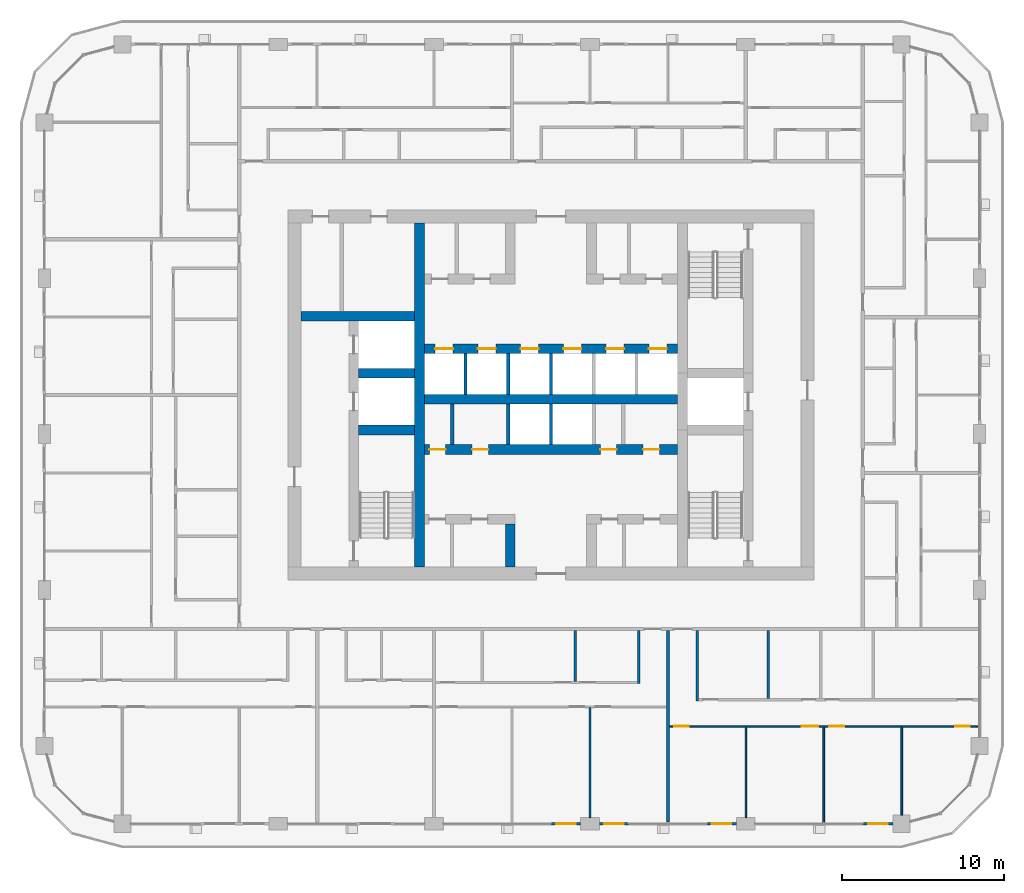
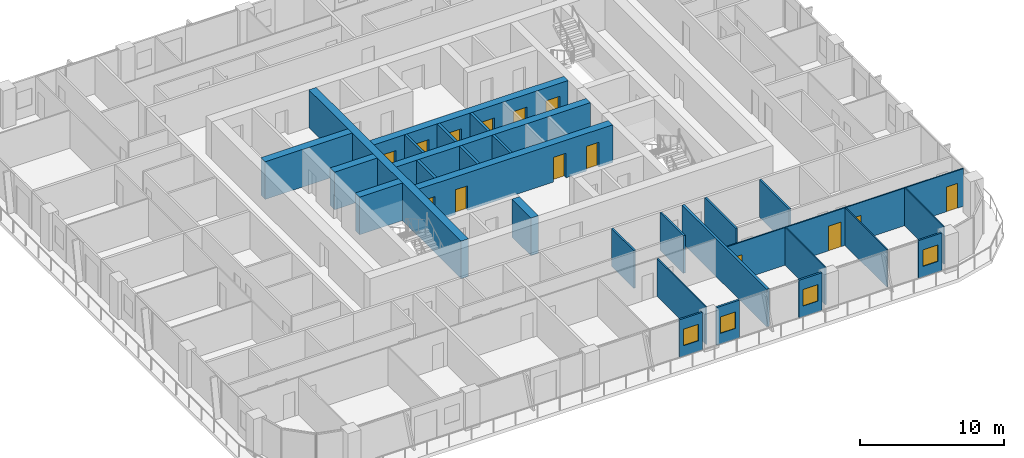
# One storey, part 11 of 22: 28 walls, 14 doors, 4 windows, 18 openings.
"""IFC4 building model written with IfcOpenShell, lengths in metres."""

from ifc_helpers import new_model, si_unit, direction, frame, frame_2d, origin, place, context, subcontext, project, spatial, rectangle, extrude, material, layer, layer_set, type_object, element, fill, save


model = new_model("IFC4")

# Units and contexts
model_context = context("Model", 3, precision=1e-05, world=origin(), true_north=direction((0.0, 1.0)))
body_context = subcontext(model_context, "Body", "Model", "MODEL_VIEW")
ifc_project = project(units=[si_unit("LENGTHUNIT", "METRE"), si_unit("AREAUNIT", "SQUARE_METRE"), si_unit("VOLUMEUNIT", "CUBIC_METRE"), si_unit("PLANEANGLEUNIT", "RADIAN"), si_unit("MASSUNIT", "GRAM", prefix="KILO")], contexts=[model_context])

# Site, building, storey
site_placement = place(None, origin())
site = spatial("IfcSite", under=ifc_project, at=site_placement, CompositionType="ELEMENT")
building_placement = place(site_placement, origin())
building = spatial("IfcBuilding", under=site, at=building_placement, Name="Madar Terraces", CompositionType="ELEMENT")
storey_placement = place(building_placement, frame((0.0, 0.0, 166.5)))
storey = spatial("IfcBuildingStorey", under=building, at=storey_placement, Name="L43", CompositionType="ELEMENT", Elevation=166.5)

# Walls
ifc_material_1 = material(Name="Concrete C70/85", Category="concrete")
ifc_layer_1 = layer(ifc_material_1, 0.60009765625)
ifc_layer_set_1 = layer_set([ifc_layer_1], Name="Concrete C70/85 (CIW3 RC wall 600)")
wall_type_1 = type_object("IfcWallType", Name="CIW3 RC wall 600", PredefinedType="SHEAR", material=ifc_layer_set_1)
wall_1_placement = place(storey_placement, frame((23.10009765625, 15.800048828125, 0.0), z_axis=(0.0, 0.0, 1.0), x_axis=(0.0, 1.0, 0.0)))
element("IfcWall", 1, at=wall_1_placement, inside=storey, type_object=wall_type_1, Name="CORE SHAFT WALL", PredefinedType="SHEAR", context=body_context, shape_type="SweptSolid", body=[
    extrude(rectangle(XDim=21.199951171875, YDim=0.60009765625, at=frame_2d((10.60009765625, 0.0))), origin(), (0.0, 0.0, 1.0), 3.199951171875),
])
for number, where, z_axis, x_axis, name in (
    (2, (19.35009765625, 24.25, 0.0), (0.0, 0.0, 1.0), (1.0, 0.0, 0.0), "CORE SHAFT WALL"),
    (3, (19.35009765625, 27.75, 0.0), (0.0, 0.0, 1.0), (1.0, 0.0, 0.0), "CORE SHAFT WALL"),
):
    element("IfcWall", number, at=place(storey_placement, frame(where, z_axis=z_axis, x_axis=x_axis)), inside=storey, type_object=wall_type_1, Name=name, PredefinedType="SHEAR", context=body_context, shape_type="SweptSolid", body=[
        extrude(rectangle(XDim=3.449951171875, YDim=0.60009765625, at=frame_2d((1.72509765625, 0.0))), origin(), (0.0, 0.0, 1.0), 3.199951171875),
    ])
wall_2_placement = place(storey_placement, frame((15.800048828125, 31.25, 0.0), z_axis=(0.0, 0.0, 1.0), x_axis=(1.0, 0.0, 0.0)))
element("IfcWall", 4, at=wall_2_placement, inside=storey, type_object=wall_type_1, Name="CORE SHAFT WALL", PredefinedType="SHEAR", context=body_context, shape_type="SweptSolid", body=[
    extrude(rectangle(XDim=7.0, YDim=0.60009765625, at=frame_2d((3.5, 0.0))), origin(), (0.0, 0.0, 1.0), 3.199951171875),
])

# Wall, openings, doors
wall_3_placement = place(storey_placement, frame((23.39990234375, 23.050048828125, 0.0), z_axis=(0.0, 0.0, 1.0), x_axis=(1.0, 0.0, 0.0)))
wall_3 = element("IfcWall", 5, at=wall_3_placement, inside=storey, type_object=wall_type_1, Name="CORE SHAFT WALL", PredefinedType="SHEAR", context=body_context, shape_type="SweptSolid", body=[
    extrude(rectangle(XDim=15.60009765625, YDim=0.60009765625, at=frame_2d((7.800048828125, 0.0))), origin(), (0.0, 0.0, 1.0), 3.199951171875),
])
opening_1_placement = place(wall_3_placement, frame((0.311279296875, 0.0, 0.0)))
opening_1 = element("IfcOpeningElement", 6, at=opening_1_placement, cuts=wall_3, Name="Opening KD2", PredefinedType="OPENING", context=body_context, shape_type="SweptSolid", body=[
    extrude(rectangle(XDim=1.0, YDim=2.10009765625, at=frame_2d((0.5, 1.050048828125))), frame((0.0, 0.31005859375, 0.0), z_axis=(0.0, -1.0, 0.0), x_axis=(1.0, 0.0, 0.0)), (0.0, 0.0, 1.0), 0.6201171875),
])
opening_2_placement = place(wall_3_placement, frame((2.944580078125, 0.0, 0.0)))
opening_2 = element("IfcOpeningElement", 7, at=opening_2_placement, cuts=wall_3, Name="Opening KD2", PredefinedType="OPENING", context=body_context, shape_type="SweptSolid", body=[
    extrude(rectangle(XDim=1.0, YDim=2.10009765625, at=frame_2d((0.5, 1.050048828125))), frame((0.0, 0.31005859375, 0.0), z_axis=(0.0, -1.0, 0.0), x_axis=(1.0, 0.0, 0.0)), (0.0, 0.0, 1.0), 0.6201171875),
])
opening_3_placement = place(wall_3_placement, frame((10.8447265625, 0.0, 0.0)))
opening_3 = element("IfcOpeningElement", 8, at=opening_3_placement, cuts=wall_3, Name="Opening KD2", PredefinedType="OPENING", context=body_context, shape_type="SweptSolid", body=[
    extrude(rectangle(XDim=1.0, YDim=2.10009765625, at=frame_2d((0.5, 1.050048828125))), frame((0.0, 0.31005859375, 0.0), z_axis=(0.0, -1.0, 0.0), x_axis=(1.0, 0.0, 0.0)), (0.0, 0.0, 1.0), 0.6201171875),
])
opening_4_placement = place(wall_3_placement, frame((13.47802734375, 0.0, 0.0)))
opening_4 = element("IfcOpeningElement", 9, at=opening_4_placement, cuts=wall_3, Name="Opening KD2", PredefinedType="OPENING", context=body_context, shape_type="SweptSolid", body=[
    extrude(rectangle(XDim=1.0, YDim=2.10009765625, at=frame_2d((0.5, 1.050048828125))), frame((0.0, 0.31005859375, 0.0), z_axis=(0.0, -1.0, 0.0), x_axis=(1.0, 0.0, 0.0)), (0.0, 0.0, 1.0), 0.6201171875),
])
ifc_material_2 = material(Name="Steel door leaf", Category="steel")
door_type_1 = type_object("IfcDoorType", Name="Service room door 1000 x 2100", OperationType="NOTDEFINED", PredefinedType="DOOR", material=ifc_material_2)
door_1_placement = place(opening_1_placement, frame((1.0, 0.0, 0.0), z_axis=(0.0, 0.0, 1.0), x_axis=(-1.0, 0.0, 0.0)))
door_1 = element("IfcDoor", 10, at=door_1_placement, inside=storey, type_object=door_type_1, Name="SERVICE ROOM DOOR", OperationType="SINGLE_SWING_RIGHT", OverallHeight=2.10009765625, OverallWidth=1.0, PredefinedType="DOOR", context=body_context, shape_type="SweptSolid", body=[
    extrude(rectangle(XDim=1.0, YDim=2.10009765625, at=frame_2d((0.5, 1.050048828125))), frame((0.0, 0.02490234375, 0.0), z_axis=(0.0, -1.0, 0.0), x_axis=(1.0, 0.0, 0.0)), (0.0, 0.0, 1.0), 0.050048828125),
])
fill(opening_1, door_1)
door_2_placement = place(opening_2_placement, frame((1.0, 0.0, 0.0), z_axis=(0.0, 0.0, 1.0), x_axis=(-1.0, 0.0, 0.0)))
door_2 = element("IfcDoor", 11, at=door_2_placement, inside=storey, type_object=door_type_1, Name="SERVICE ROOM DOOR", OperationType="SINGLE_SWING_LEFT", OverallHeight=2.10009765625, OverallWidth=1.0, PredefinedType="DOOR", context=body_context, shape_type="SweptSolid", body=[
    extrude(rectangle(XDim=1.0, YDim=2.10009765625, at=frame_2d((0.5, 1.050048828125))), frame((0.0, 0.02490234375, 0.0), z_axis=(0.0, -1.0, 0.0), x_axis=(1.0, 0.0, 0.0)), (0.0, 0.0, 1.0), 0.050048828125),
])
fill(opening_2, door_2)
door_3_placement = place(opening_3_placement, frame((1.0, 0.0, 0.0), z_axis=(0.0, 0.0, 1.0), x_axis=(-1.0, 0.0, 0.0)))
door_3 = element("IfcDoor", 12, at=door_3_placement, inside=storey, type_object=door_type_1, Name="SERVICE ROOM DOOR", OperationType="SINGLE_SWING_RIGHT", OverallHeight=2.10009765625, OverallWidth=1.0, PredefinedType="DOOR", context=body_context, shape_type="SweptSolid", body=[
    extrude(rectangle(XDim=1.0, YDim=2.10009765625, at=frame_2d((0.5, 1.050048828125))), frame((0.0, 0.02490234375, 0.0), z_axis=(0.0, -1.0, 0.0), x_axis=(1.0, 0.0, 0.0)), (0.0, 0.0, 1.0), 0.050048828125),
])
fill(opening_3, door_3)
door_4_placement = place(opening_4_placement, frame((1.0, 0.0, 0.0), z_axis=(0.0, 0.0, 1.0), x_axis=(-1.0, 0.0, 0.0)))
door_4 = element("IfcDoor", 13, at=door_4_placement, inside=storey, type_object=door_type_1, Name="SERVICE ROOM DOOR", OperationType="SINGLE_SWING_LEFT", OverallHeight=2.10009765625, OverallWidth=1.0, PredefinedType="DOOR", context=body_context, shape_type="SweptSolid", body=[
    extrude(rectangle(XDim=1.0, YDim=2.10009765625, at=frame_2d((0.5, 1.050048828125))), frame((0.0, 0.02490234375, 0.0), z_axis=(0.0, -1.0, 0.0), x_axis=(1.0, 0.0, 0.0)), (0.0, 0.0, 1.0), 0.050048828125),
])
fill(opening_4, door_4)

# Wall
wall_4_placement = place(storey_placement, frame((23.39990234375, 26.14990234375, 0.0), z_axis=(0.0, 0.0, 1.0), x_axis=(1.0, 0.0, 0.0)))
element("IfcWall", 14, at=wall_4_placement, inside=storey, type_object=wall_type_1, Name="CORE SHAFT WALL", PredefinedType="SHEAR", context=body_context, shape_type="SweptSolid", body=[
    extrude(rectangle(XDim=15.60009765625, YDim=0.60009765625, at=frame_2d((7.800048828125, 0.0))), origin(), (0.0, 0.0, 1.0), 3.199951171875),
])

# Wall, openings, doors
wall_5_placement = place(storey_placement, frame((23.39990234375, 29.25, 0.0), z_axis=(0.0, 0.0, 1.0), x_axis=(1.0, 0.0, 0.0)))
wall_5 = element("IfcWall", 15, at=wall_5_placement, inside=storey, type_object=wall_type_1, Name="CORE SHAFT WALL", PredefinedType="SHEAR", context=body_context, shape_type="SweptSolid", body=[
    extrude(rectangle(XDim=15.60009765625, YDim=0.60009765625, at=frame_2d((7.800048828125, 0.0))), origin(), (0.0, 0.0, 1.0), 3.199951171875),
])
opening_5_placement = place(wall_5_placement, frame((0.666748046875, 0.0, 0.0)))
opening_5 = element("IfcOpeningElement", 16, at=opening_5_placement, cuts=wall_5, Name="Opening LD", PredefinedType="OPENING", context=body_context, shape_type="SweptSolid", body=[
    extrude(rectangle(XDim=1.10009765625, YDim=2.10009765625, at=frame_2d((0.550048828125, 1.050048828125))), frame((0.0, 0.31005859375, 0.0), z_axis=(0.0, -1.0, 0.0), x_axis=(1.0, 0.0, 0.0)), (0.0, 0.0, 1.0), 0.6201171875),
])
opening_6_placement = place(wall_5_placement, frame((3.300048828125, 0.0, 0.0)))
opening_6 = element("IfcOpeningElement", 17, at=opening_6_placement, cuts=wall_5, Name="Opening LD", PredefinedType="OPENING", context=body_context, shape_type="SweptSolid", body=[
    extrude(rectangle(XDim=1.10009765625, YDim=2.10009765625, at=frame_2d((0.550048828125, 1.050048828125))), frame((0.0, 0.31005859375, 0.0), z_axis=(0.0, -1.0, 0.0), x_axis=(1.0, 0.0, 0.0)), (0.0, 0.0, 1.0), 0.6201171875),
])
opening_7_placement = place(wall_5_placement, frame((5.933349609375, 0.0, 0.0)))
opening_7 = element("IfcOpeningElement", 18, at=opening_7_placement, cuts=wall_5, Name="Opening LD", PredefinedType="OPENING", context=body_context, shape_type="SweptSolid", body=[
    extrude(rectangle(XDim=1.10009765625, YDim=2.10009765625, at=frame_2d((0.550048828125, 1.050048828125))), frame((0.0, 0.31005859375, 0.0), z_axis=(0.0, -1.0, 0.0), x_axis=(1.0, 0.0, 0.0)), (0.0, 0.0, 1.0), 0.6201171875),
])
opening_8_placement = place(wall_5_placement, frame((8.566650390625, 0.0, 0.0)))
opening_8 = element("IfcOpeningElement", 19, at=opening_8_placement, cuts=wall_5, Name="Opening LD", PredefinedType="OPENING", context=body_context, shape_type="SweptSolid", body=[
    extrude(rectangle(XDim=1.10009765625, YDim=2.10009765625, at=frame_2d((0.550048828125, 1.050048828125))), frame((0.0, 0.31005859375, 0.0), z_axis=(0.0, -1.0, 0.0), x_axis=(1.0, 0.0, 0.0)), (0.0, 0.0, 1.0), 0.6201171875),
])
opening_9_placement = place(wall_5_placement, frame((11.199951171875, 0.0, 0.0)))
opening_9 = element("IfcOpeningElement", 20, at=opening_9_placement, cuts=wall_5, Name="Opening LD", PredefinedType="OPENING", context=body_context, shape_type="SweptSolid", body=[
    extrude(rectangle(XDim=1.10009765625, YDim=2.10009765625, at=frame_2d((0.550048828125, 1.050048828125))), frame((0.0, 0.31005859375, 0.0), z_axis=(0.0, -1.0, 0.0), x_axis=(1.0, 0.0, 0.0)), (0.0, 0.0, 1.0), 0.6201171875),
])
opening_10_placement = place(wall_5_placement, frame((13.833251953125, 0.0, 0.0)))
opening_10 = element("IfcOpeningElement", 21, at=opening_10_placement, cuts=wall_5, Name="Opening LD", PredefinedType="OPENING", context=body_context, shape_type="SweptSolid", body=[
    extrude(rectangle(XDim=1.10009765625, YDim=2.10009765625, at=frame_2d((0.550048828125, 1.050048828125))), frame((0.0, 0.31005859375, 0.0), z_axis=(0.0, -1.0, 0.0), x_axis=(1.0, 0.0, 0.0)), (0.0, 0.0, 1.0), 0.6201171875),
])
ifc_material_3 = material(Name="Stainless steel panel", Category="steel")
door_type_2 = type_object("IfcDoorType", Name="Lift landing door 1100 x 2100", OperationType="DOUBLE_DOOR_SLIDING", PredefinedType="DOOR", material=ifc_material_3)
door_5_placement = place(opening_5_placement, origin())
door_5 = element("IfcDoor", 22, at=door_5_placement, inside=storey, type_object=door_type_2, Name="LIFT LANDING DOOR", OperationType="DOUBLE_DOOR_SLIDING", OverallHeight=2.10009765625, OverallWidth=1.10009765625, PredefinedType="DOOR", context=body_context, shape_type="SweptSolid", body=[
    extrude(rectangle(XDim=1.10009765625, YDim=2.10009765625, at=frame_2d((0.550048828125, 1.050048828125))), frame((0.0, 0.02490234375, 0.0), z_axis=(0.0, -1.0, 0.0), x_axis=(1.0, 0.0, 0.0)), (0.0, 0.0, 1.0), 0.050048828125),
])
fill(opening_5, door_5)
door_6_placement = place(opening_6_placement, origin())
door_6 = element("IfcDoor", 23, at=door_6_placement, inside=storey, type_object=door_type_2, Name="LIFT LANDING DOOR", OperationType="DOUBLE_DOOR_SLIDING", OverallHeight=2.10009765625, OverallWidth=1.10009765625, PredefinedType="DOOR", context=body_context, shape_type="SweptSolid", body=[
    extrude(rectangle(XDim=1.10009765625, YDim=2.10009765625, at=frame_2d((0.550048828125, 1.050048828125))), frame((0.0, 0.02490234375, 0.0), z_axis=(0.0, -1.0, 0.0), x_axis=(1.0, 0.0, 0.0)), (0.0, 0.0, 1.0), 0.050048828125),
])
fill(opening_6, door_6)
door_7_placement = place(opening_7_placement, origin())
door_7 = element("IfcDoor", 24, at=door_7_placement, inside=storey, type_object=door_type_2, Name="LIFT LANDING DOOR", OperationType="DOUBLE_DOOR_SLIDING", OverallHeight=2.10009765625, OverallWidth=1.10009765625, PredefinedType="DOOR", context=body_context, shape_type="SweptSolid", body=[
    extrude(rectangle(XDim=1.10009765625, YDim=2.10009765625, at=frame_2d((0.550048828125, 1.050048828125))), frame((0.0, 0.02490234375, 0.0), z_axis=(0.0, -1.0, 0.0), x_axis=(1.0, 0.0, 0.0)), (0.0, 0.0, 1.0), 0.050048828125),
])
fill(opening_7, door_7)
door_8_placement = place(opening_8_placement, origin())
door_8 = element("IfcDoor", 25, at=door_8_placement, inside=storey, type_object=door_type_2, Name="LIFT LANDING DOOR", OperationType="DOUBLE_DOOR_SLIDING", OverallHeight=2.10009765625, OverallWidth=1.10009765625, PredefinedType="DOOR", context=body_context, shape_type="SweptSolid", body=[
    extrude(rectangle(XDim=1.10009765625, YDim=2.10009765625, at=frame_2d((0.550048828125, 1.050048828125))), frame((0.0, 0.02490234375, 0.0), z_axis=(0.0, -1.0, 0.0), x_axis=(1.0, 0.0, 0.0)), (0.0, 0.0, 1.0), 0.050048828125),
])
fill(opening_8, door_8)
door_9_placement = place(opening_9_placement, origin())
door_9 = element("IfcDoor", 26, at=door_9_placement, inside=storey, type_object=door_type_2, Name="LIFT LANDING DOOR", OperationType="DOUBLE_DOOR_SLIDING", OverallHeight=2.10009765625, OverallWidth=1.10009765625, PredefinedType="DOOR", context=body_context, shape_type="SweptSolid", body=[
    extrude(rectangle(XDim=1.10009765625, YDim=2.10009765625, at=frame_2d((0.550048828125, 1.050048828125))), frame((0.0, 0.02490234375, 0.0), z_axis=(0.0, -1.0, 0.0), x_axis=(1.0, 0.0, 0.0)), (0.0, 0.0, 1.0), 0.050048828125),
])
fill(opening_9, door_9)
door_10_placement = place(opening_10_placement, origin())
door_10 = element("IfcDoor", 27, at=door_10_placement, inside=storey, type_object=door_type_2, Name="LIFT LANDING DOOR", OperationType="DOUBLE_DOOR_SLIDING", OverallHeight=2.10009765625, OverallWidth=1.10009765625, PredefinedType="DOOR", context=body_context, shape_type="SweptSolid", body=[
    extrude(rectangle(XDim=1.10009765625, YDim=2.10009765625, at=frame_2d((0.550048828125, 1.050048828125))), frame((0.0, 0.02490234375, 0.0), z_axis=(0.0, -1.0, 0.0), x_axis=(1.0, 0.0, 0.0)), (0.0, 0.0, 1.0), 0.050048828125),
])
fill(opening_10, door_10)

# Walls
wall_6_placement = place(storey_placement, frame((28.699951171875, 15.800048828125, 0.0), z_axis=(0.0, 0.0, 1.0), x_axis=(0.0, 1.0, 0.0)))
element("IfcWall", 28, at=wall_6_placement, inside=storey, type_object=wall_type_1, Name="CORE SHAFT WALL", PredefinedType="SHEAR", context=body_context, shape_type="SweptSolid", body=[
    extrude(rectangle(XDim=2.64990234375, YDim=0.60009765625, at=frame_2d((1.324951171875, 0.0))), origin(), (0.0, 0.0, 1.0), 3.199951171875),
])
ifc_material_4 = material(Name="Masonry blockwork", Category="masonry")
ifc_layer_2 = layer(ifc_material_4, 0.199951171875)
ifc_layer_set_2 = layer_set([ifc_layer_2], Name="Core partition 200 blockwork")
wall_type_2 = type_object("IfcWallType", Name="Core partition 200 blockwork", PredefinedType="PARTITIONING", material=ifc_layer_set_2)
wall_7_placement = place(storey_placement, frame((25.12255859375, 23.35009765625, 0.0), z_axis=(0.0, 0.0, 1.0), x_axis=(0.0, 1.0, 0.0)))
element("IfcWall", 29, at=wall_7_placement, inside=storey, type_object=wall_type_2, Name="SERVICE ROOM PARTITION", PredefinedType="PARTITIONING", context=body_context, shape_type="SweptSolid", body=[
    extrude(rectangle(XDim=2.5, YDim=0.199951171875, at=frame_2d((1.25, 0.0))), origin(), (0.0, 0.0, 1.0), 3.199951171875),
])
ifc_material_5 = material(Name="Concrete C40/50", Category="concrete")
ifc_layer_3 = layer(ifc_material_5, 0.199951171875)
ifc_layer_set_3 = layer_set([ifc_layer_3], Name="Core shaft dividing wall 200 C40/50")
wall_type_3 = type_object("IfcWallType", Name="Core shaft dividing wall 200 C40/50", PredefinedType="SOLIDWALL", material=ifc_layer_set_3)
for number, where, z_axis, x_axis, name in (
    (30, (25.933349609375, 26.449951171875, 0.0), (0.0, 0.0, 1.0), (0.0, 1.0, 0.0), "SHAFT DIVIDING WALL"),
    (31, (28.566650390625, 23.35009765625, 0.0), (0.0, 0.0, 1.0), (0.0, 1.0, 0.0), "SHAFT DIVIDING WALL"),
    (32, (28.566650390625, 26.449951171875, 0.0), (0.0, 0.0, 1.0), (0.0, 1.0, 0.0), "SHAFT DIVIDING WALL"),
    (33, (31.199951171875, 23.35009765625, 0.0), (0.0, 0.0, 1.0), (0.0, 1.0, 0.0), "SHAFT DIVIDING WALL"),
    (34, (31.199951171875, 26.449951171875, 0.0), (0.0, 0.0, 1.0), (0.0, 1.0, 0.0), "SHAFT DIVIDING WALL"),
):
    element("IfcWall", number, at=place(storey_placement, frame(where, z_axis=z_axis, x_axis=x_axis)), inside=storey, type_object=wall_type_3, Name=name, PredefinedType="SOLIDWALL", context=body_context, shape_type="SweptSolid", body=[
        extrude(rectangle(XDim=2.5, YDim=0.199951171875, at=frame_2d((1.25, 0.0))), origin(), (0.0, 0.0, 1.0), 3.199951171875),
    ])

# Wall, opening, window
ifc_material_6 = material(Name="Aluminium composite panel, black, over insulated backing", Category="aluminium")
ifc_layer_4 = layer(ifc_material_6, 0.14990234375)
ifc_layer_set_4 = layer_set([ifc_layer_4], Name="Facade bay panel 150")
wall_type_4 = type_object("IfcWallType", Name="Facade bay panel 150", PredefinedType="SOLIDWALL", material=ifc_layer_set_4)
wall_8_placement = place(storey_placement, frame((31.199951171875, 0.0, 0.0), z_axis=(0.0, 0.0, 1.0), x_axis=(1.0, 0.0, 0.0)))
wall_8 = element("IfcWall", 35, at=wall_8_placement, inside=storey, type_object=wall_type_4, Name="Facade bay panel", PredefinedType="SOLIDWALL", context=body_context, shape_type="SweptSolid", body=[
    extrude(rectangle(XDim=1.824951171875, YDim=0.14990234375, at=frame_2d((0.91259765625, 0.0))), origin(), (0.0, 0.0, 1.0), 3.199951171875),
])
opening_11_placement = place(wall_8_placement, frame((0.3125, 0.0, 0.89990234375)))
opening_11 = element("IfcOpeningElement", 36, at=opening_11_placement, cuts=wall_8, Name="Opening W1", PredefinedType="OPENING", context=body_context, shape_type="SweptSolid", body=[
    extrude(rectangle(XDim=1.199951171875, YDim=1.39990234375, at=frame_2d((0.60009765625, 0.699951171875))), frame((0.0, 0.0849609375, 0.0), z_axis=(0.0, -1.0, 0.0), x_axis=(1.0, 0.0, 0.0)), (0.0, 0.0, 1.0), 0.169921875),
])
ifc_material_7 = material(Name="Glass, clear, with black aluminium frame", Category="aluminium")
window_type = type_object("IfcWindowType", Name="Vent window 1200 x 1400", PartitioningType="SINGLE_PANEL", PredefinedType="WINDOW", material=ifc_material_7)
window_1_placement = place(opening_11_placement, origin())
window_1 = element("IfcWindow", 37, at=window_1_placement, inside=storey, type_object=window_type, Name="Operable vent window", OverallHeight=1.39990234375, OverallWidth=1.199951171875, PartitioningType="SINGLE_PANEL", PredefinedType="WINDOW", context=body_context, shape_type="SweptSolid", body=[
    extrude(rectangle(XDim=1.199951171875, YDim=1.39990234375, at=frame_2d((0.60009765625, 0.699951171875))), frame((0.0, 0.030029296875, 0.0), z_axis=(0.0, -1.0, 0.0), x_axis=(1.0, 0.0, 0.0)), (0.0, 0.0, 1.0), 0.06005859375),
])
fill(opening_11, window_1)

wall_9_placement = place(storey_placement, frame((34.175048828125, 0.0, 0.0), z_axis=(0.0, 0.0, 1.0), x_axis=(1.0, 0.0, 0.0)))
wall_9 = element("IfcWall", 38, at=wall_9_placement, inside=storey, type_object=wall_type_4, Name="Facade bay panel", PredefinedType="SOLIDWALL", context=body_context, shape_type="SweptSolid", body=[
    extrude(rectangle(XDim=1.824951171875, YDim=0.14990234375, at=frame_2d((0.91259765625, 0.0))), origin(), (0.0, 0.0, 1.0), 3.199951171875),
])
opening_12_placement = place(wall_9_placement, frame((0.3125, 0.0, 0.89990234375)))
opening_12 = element("IfcOpeningElement", 39, at=opening_12_placement, cuts=wall_9, Name="Opening W1", PredefinedType="OPENING", context=body_context, shape_type="SweptSolid", body=[
    extrude(rectangle(XDim=1.199951171875, YDim=1.39990234375, at=frame_2d((0.60009765625, 0.699951171875))), frame((0.0, 0.0849609375, 0.0), z_axis=(0.0, -1.0, 0.0), x_axis=(1.0, 0.0, 0.0)), (0.0, 0.0, 1.0), 0.169921875),
])
window_2_placement = place(opening_12_placement, origin())
window_2 = element("IfcWindow", 40, at=window_2_placement, inside=storey, type_object=window_type, Name="Operable vent window", OverallHeight=1.39990234375, OverallWidth=1.199951171875, PartitioningType="SINGLE_PANEL", PredefinedType="WINDOW", context=body_context, shape_type="SweptSolid", body=[
    extrude(rectangle(XDim=1.199951171875, YDim=1.39990234375, at=frame_2d((0.60009765625, 0.699951171875))), frame((0.0, 0.030029296875, 0.0), z_axis=(0.0, -1.0, 0.0), x_axis=(1.0, 0.0, 0.0)), (0.0, 0.0, 1.0), 0.06005859375),
])
fill(opening_12, window_2)

wall_10_placement = place(storey_placement, frame((40.800048828125, 0.0, 0.0), z_axis=(0.0, 0.0, 1.0), x_axis=(1.0, 0.0, 0.0)))
wall_10 = element("IfcWall", 41, at=wall_10_placement, inside=storey, type_object=wall_type_4, Name="Facade bay panel", PredefinedType="SOLIDWALL", context=body_context, shape_type="SweptSolid", body=[
    extrude(rectangle(XDim=1.824951171875, YDim=0.14990234375, at=frame_2d((0.91259765625, 0.0))), origin(), (0.0, 0.0, 1.0), 3.199951171875),
])
opening_13_placement = place(wall_10_placement, frame((0.3125, 0.0, 0.89990234375)))
opening_13 = element("IfcOpeningElement", 42, at=opening_13_placement, cuts=wall_10, Name="Opening W1", PredefinedType="OPENING", context=body_context, shape_type="SweptSolid", body=[
    extrude(rectangle(XDim=1.199951171875, YDim=1.39990234375, at=frame_2d((0.60009765625, 0.699951171875))), frame((0.0, 0.0849609375, 0.0), z_axis=(0.0, -1.0, 0.0), x_axis=(1.0, 0.0, 0.0)), (0.0, 0.0, 1.0), 0.169921875),
])
window_3_placement = place(opening_13_placement, origin())
window_3 = element("IfcWindow", 43, at=window_3_placement, inside=storey, type_object=window_type, Name="Operable vent window", OverallHeight=1.39990234375, OverallWidth=1.199951171875, PartitioningType="SINGLE_PANEL", PredefinedType="WINDOW", context=body_context, shape_type="SweptSolid", body=[
    extrude(rectangle(XDim=1.199951171875, YDim=1.39990234375, at=frame_2d((0.60009765625, 0.699951171875))), frame((0.0, 0.030029296875, 0.0), z_axis=(0.0, -1.0, 0.0), x_axis=(1.0, 0.0, 0.0)), (0.0, 0.0, 1.0), 0.06005859375),
])
fill(opening_13, window_3)

wall_11_placement = place(storey_placement, frame((50.39990234375, 0.0, 0.0), z_axis=(0.0, 0.0, 1.0), x_axis=(1.0, 0.0, 0.0)))
wall_11 = element("IfcWall", 44, at=wall_11_placement, inside=storey, type_object=wall_type_4, Name="Facade bay panel", PredefinedType="SOLIDWALL", context=body_context, shape_type="SweptSolid", body=[
    extrude(rectangle(XDim=1.875, YDim=0.14990234375, at=frame_2d((0.9375, 0.0))), origin(), (0.0, 0.0, 1.0), 3.199951171875),
])
opening_14_placement = place(wall_11_placement, frame((0.33740234375, 0.0, 0.89990234375)))
opening_14 = element("IfcOpeningElement", 45, at=opening_14_placement, cuts=wall_11, Name="Opening W1", PredefinedType="OPENING", context=body_context, shape_type="SweptSolid", body=[
    extrude(rectangle(XDim=1.199951171875, YDim=1.39990234375, at=frame_2d((0.60009765625, 0.699951171875))), frame((0.0, 0.0849609375, 0.0), z_axis=(0.0, -1.0, 0.0), x_axis=(1.0, 0.0, 0.0)), (0.0, 0.0, 1.0), 0.169921875),
])
window_4_placement = place(opening_14_placement, origin())
window_4 = element("IfcWindow", 46, at=window_4_placement, inside=storey, type_object=window_type, Name="Operable vent window", OverallHeight=1.39990234375, OverallWidth=1.199951171875, PartitioningType="SINGLE_PANEL", PredefinedType="WINDOW", context=body_context, shape_type="SweptSolid", body=[
    extrude(rectangle(XDim=1.199951171875, YDim=1.39990234375, at=frame_2d((0.60009765625, 0.699951171875))), frame((0.0, 0.030029296875, 0.0), z_axis=(0.0, -1.0, 0.0), x_axis=(1.0, 0.0, 0.0)), (0.0, 0.0, 1.0), 0.06005859375),
])
fill(opening_14, window_4)

# Walls
ifc_material_8 = material(Name="Gypsum board on steel studs", Category="steel")
ifc_layer_5 = layer(ifc_material_8, 0.10009765625)
ifc_layer_set_5 = layer_set([ifc_layer_5], Name="Flat partition 100")
wall_type_5 = type_object("IfcWallType", Name="Flat partition 100", PredefinedType="PARTITIONING", material=ifc_layer_set_5)
wall_12_placement = place(storey_placement, frame((33.60009765625, 7.14990234375, 0.0), z_axis=(0.0, 0.0, 1.0), x_axis=(0.0, -1.0, 0.0)))
element("IfcWall", 47, at=wall_12_placement, inside=storey, type_object=wall_type_5, Name="Flat partition 100", PredefinedType="PARTITIONING", context=body_context, shape_type="SweptSolid", body=[
    extrude(rectangle(XDim=6.77490234375, YDim=0.10009765625, at=frame_2d((3.387451171875, 0.0))), origin(), (0.0, 0.0, 1.0), 3.199951171875),
])
wall_13_placement = place(storey_placement, frame((43.199951171875, 5.949951171875, 0.0), z_axis=(0.0, 0.0, 1.0), x_axis=(0.0, -1.0, 0.0)))
element("IfcWall", 48, at=wall_13_placement, inside=storey, type_object=wall_type_5, Name="Flat partition 100", PredefinedType="PARTITIONING", context=body_context, shape_type="SweptSolid", body=[
    extrude(rectangle(XDim=5.574951171875, YDim=0.10009765625, at=frame_2d((2.78759765625, 0.0))), origin(), (0.0, 0.0, 1.0), 3.199951171875),
])
wall_14_placement = place(storey_placement, frame((48.0, 5.949951171875, 0.0), z_axis=(0.0, 0.0, 1.0), x_axis=(0.0, -1.0, 0.0)))
element("IfcWall", 49, at=wall_14_placement, inside=storey, type_object=wall_type_5, Name="Flat partition 100", PredefinedType="PARTITIONING", context=body_context, shape_type="SweptSolid", body=[
    extrude(rectangle(XDim=5.849853515625, YDim=0.10009765625, at=frame_2d((2.9248046875, 0.0))), origin(), (0.0, 0.0, 1.0), 3.199951171875),
])
wall_15_placement = place(storey_placement, frame((52.800048828125, 5.949951171875, 0.0), z_axis=(0.0, 0.0, 1.0), x_axis=(0.0, -1.0, 0.0)))
element("IfcWall", 50, at=wall_15_placement, inside=storey, type_object=wall_type_5, Name="Flat partition 100", PredefinedType="PARTITIONING", context=body_context, shape_type="SweptSolid", body=[
    extrude(rectangle(XDim=5.425048828125, YDim=0.10009765625, at=frame_2d((2.71240234375, 0.0))), origin(), (0.0, 0.0, 1.0), 3.199951171875),
])

# Wall, openings, doors
wall_16_placement = place(storey_placement, frame((57.5, 6.0, 0.0), z_axis=(0.0, 0.0, 1.0), x_axis=(-1.0, 0.0, 0.0)))
wall_16 = element("IfcWall", 51, at=wall_16_placement, inside=storey, type_object=wall_type_5, Name="Flat partition 100", PredefinedType="PARTITIONING", context=body_context, shape_type="SweptSolid", body=[
    extrude(rectangle(XDim=19.0, YDim=0.10009765625, at=frame_2d((9.5, 0.0))), origin(), (0.0, 0.0, 1.0), 3.199951171875),
])
opening_15_placement = place(wall_16_placement, frame((17.800048828125, 0.0, 0.0)))
opening_15 = element("IfcOpeningElement", 52, at=opening_15_placement, cuts=wall_16, Name="Opening D2", PredefinedType="OPENING", context=body_context, shape_type="SweptSolid", body=[
    extrude(rectangle(XDim=0.89990234375, YDim=2.10009765625, at=frame_2d((0.449951171875, 1.050048828125))), frame((0.0, 0.06005859375, 0.0), z_axis=(0.0, -1.0, 0.0), x_axis=(1.0, 0.0, 0.0)), (0.0, 0.0, 1.0), 0.1201171875),
])
opening_16_placement = place(wall_16_placement, frame((9.85009765625, 0.0, 0.0)))
opening_16 = element("IfcOpeningElement", 53, at=opening_16_placement, cuts=wall_16, Name="Opening D3", PredefinedType="OPENING", context=body_context, shape_type="SweptSolid", body=[
    extrude(rectangle(XDim=1.0, YDim=2.10009765625, at=frame_2d((0.5, 1.050048828125))), frame((0.0, 0.06005859375, 0.0), z_axis=(0.0, -1.0, 0.0), x_axis=(1.0, 0.0, 0.0)), (0.0, 0.0, 1.0), 0.1201171875),
])
opening_17_placement = place(wall_16_placement, frame((8.25, 0.0, 0.0)))
opening_17 = element("IfcOpeningElement", 54, at=opening_17_placement, cuts=wall_16, Name="Opening D2", PredefinedType="OPENING", context=body_context, shape_type="SweptSolid", body=[
    extrude(rectangle(XDim=0.89990234375, YDim=2.10009765625, at=frame_2d((0.449951171875, 1.050048828125))), frame((0.0, 0.06005859375, 0.0), z_axis=(0.0, -1.0, 0.0), x_axis=(1.0, 0.0, 0.0)), (0.0, 0.0, 1.0), 0.1201171875),
])
opening_18_placement = place(wall_16_placement, frame((0.5, 0.0, 0.0)))
opening_18 = element("IfcOpeningElement", 55, at=opening_18_placement, cuts=wall_16, Name="Opening D2", PredefinedType="OPENING", context=body_context, shape_type="SweptSolid", body=[
    extrude(rectangle(XDim=0.89990234375, YDim=2.10009765625, at=frame_2d((0.449951171875, 1.050048828125))), frame((0.0, 0.06005859375, 0.0), z_axis=(0.0, -1.0, 0.0), x_axis=(1.0, 0.0, 0.0)), (0.0, 0.0, 1.0), 0.1201171875),
])
ifc_material_9 = material(Name="Timber door leaf", Category="wood")
door_type_3 = type_object("IfcDoorType", Name="Flat living room door 1000", OperationType="NOTDEFINED", PredefinedType="DOOR", material=ifc_material_9)
door_11_placement = place(opening_16_placement, origin())
door_11 = element("IfcDoor", 56, at=door_11_placement, inside=storey, type_object=door_type_3, Name="Flat living room door 1000", OperationType="SINGLE_SWING_LEFT", OverallHeight=2.10009765625, OverallWidth=1.0, PredefinedType="DOOR", context=body_context, shape_type="SweptSolid", body=[
    extrude(rectangle(XDim=1.0, YDim=2.10009765625, at=frame_2d((0.5, 1.050048828125))), frame((0.0, 0.02490234375, 0.0), z_axis=(0.0, -1.0, 0.0), x_axis=(1.0, 0.0, 0.0)), (0.0, 0.0, 1.0), 0.050048828125),
])
fill(opening_16, door_11)
ifc_material_10 = material(Name="Timber door leaf", Category="wood")
door_type_4 = type_object("IfcDoorType", Name="Flat room door 900", OperationType="NOTDEFINED", PredefinedType="DOOR", material=ifc_material_10)
door_12_placement = place(opening_15_placement, origin())
door_12 = element("IfcDoor", 57, at=door_12_placement, inside=storey, type_object=door_type_4, Name="Flat room door 900", OperationType="SINGLE_SWING_RIGHT", OverallHeight=2.10009765625, OverallWidth=0.89990234375, PredefinedType="DOOR", context=body_context, shape_type="SweptSolid", body=[
    extrude(rectangle(XDim=0.89990234375, YDim=2.10009765625, at=frame_2d((0.449951171875, 1.050048828125))), frame((0.0, 0.02490234375, 0.0), z_axis=(0.0, -1.0, 0.0), x_axis=(1.0, 0.0, 0.0)), (0.0, 0.0, 1.0), 0.050048828125),
])
fill(opening_15, door_12)
door_13_placement = place(opening_17_placement, origin())
door_13 = element("IfcDoor", 58, at=door_13_placement, inside=storey, type_object=door_type_4, Name="Flat room door 900", OperationType="SINGLE_SWING_RIGHT", OverallHeight=2.10009765625, OverallWidth=0.89990234375, PredefinedType="DOOR", context=body_context, shape_type="SweptSolid", body=[
    extrude(rectangle(XDim=0.89990234375, YDim=2.10009765625, at=frame_2d((0.449951171875, 1.050048828125))), frame((0.0, 0.02490234375, 0.0), z_axis=(0.0, -1.0, 0.0), x_axis=(1.0, 0.0, 0.0)), (0.0, 0.0, 1.0), 0.050048828125),
])
fill(opening_17, door_13)
door_14_placement = place(opening_18_placement, origin())
door_14 = element("IfcDoor", 59, at=door_14_placement, inside=storey, type_object=door_type_4, Name="Flat room door 900", OperationType="SINGLE_SWING_LEFT", OverallHeight=2.10009765625, OverallWidth=0.89990234375, PredefinedType="DOOR", context=body_context, shape_type="SweptSolid", body=[
    extrude(rectangle(XDim=0.89990234375, YDim=2.10009765625, at=frame_2d((0.449951171875, 1.050048828125))), frame((0.0, 0.02490234375, 0.0), z_axis=(0.0, -1.0, 0.0), x_axis=(1.0, 0.0, 0.0)), (0.0, 0.0, 1.0), 0.050048828125),
])
fill(opening_18, door_14)

# Walls
ifc_material_11 = material(Name="Lightweight blockwork", Category="masonry")
ifc_layer_6 = layer(ifc_material_11, 0.199951171875)
ifc_layer_set_6 = layer_set([ifc_layer_6], Name="Flat party and entrance wall 200")
wall_type_6 = type_object("IfcWallType", Name="Flat party and entrance wall 200", PredefinedType="PARTITIONING", material=ifc_layer_set_6)
wall_17_placement = place(storey_placement, frame((38.39990234375, 11.89990234375, 0.0), z_axis=(0.0, 0.0, 1.0), x_axis=(0.0, -1.0, 0.0)))
element("IfcWall", 60, at=wall_17_placement, inside=storey, type_object=wall_type_6, Name="Flat party and entrance wall 200", PredefinedType="PARTITIONING", context=body_context, shape_type="SweptSolid", body=[
    extrude(rectangle(XDim=11.7998046875, YDim=0.199951171875, at=frame_2d((5.89990234375, 0.0))), origin(), (0.0, 0.0, 1.0), 3.199951171875),
])
ifc_material_12 = material(Name="Lightweight blockwork", Category="masonry")
ifc_layer_7 = layer(ifc_material_12, 0.14990234375)
ifc_layer_set_7 = layer_set([ifc_layer_7], Name="Flat wet-room partition 150")
wall_type_7 = type_object("IfcWallType", Name="Flat wet-room partition 150", PredefinedType="PARTITIONING", material=ifc_layer_set_7)
wall_18_placement = place(storey_placement, frame((32.701904296875, 11.89990234375, 0.0), z_axis=(0.0, 0.0, 1.0), x_axis=(0.0, -1.0, 0.0)))
element("IfcWall", 61, at=wall_18_placement, inside=storey, type_object=wall_type_7, Name="Flat wet-room partition 150", PredefinedType="PARTITIONING", context=body_context, shape_type="SweptSolid", body=[
    extrude(rectangle(XDim=3.125, YDim=0.14990234375, at=frame_2d((1.5625, 0.0))), origin(), (0.0, 0.0, 1.0), 3.199951171875),
])
wall_19_placement = place(storey_placement, frame((36.60009765625, 11.89990234375, 0.0), z_axis=(0.0, 0.0, 1.0), x_axis=(0.0, -1.0, 0.0)))
element("IfcWall", 62, at=wall_19_placement, inside=storey, type_object=wall_type_7, Name="Flat wet-room partition 150", PredefinedType="PARTITIONING", context=body_context, shape_type="SweptSolid", body=[
    extrude(rectangle(XDim=3.27490234375, YDim=0.14990234375, at=frame_2d((1.637451171875, 0.0))), origin(), (0.0, 0.0, 1.0), 3.199951171875),
])
wall_20_placement = place(storey_placement, frame((44.581298828125, 11.89990234375, 0.0), z_axis=(0.0, 0.0, 1.0), x_axis=(0.0, -1.0, 0.0)))
element("IfcWall", 63, at=wall_20_placement, inside=storey, type_object=wall_type_7, Name="Flat wet-room partition 150", PredefinedType="PARTITIONING", context=body_context, shape_type="SweptSolid", body=[
    extrude(rectangle(XDim=4.1748046875, YDim=0.14990234375, at=frame_2d((2.08740234375, 0.0))), origin(), (0.0, 0.0, 1.0), 3.199951171875),
])
wall_21_placement = place(storey_placement, frame((40.199951171875, 11.89990234375, 0.0), z_axis=(0.0, 0.0, 1.0), x_axis=(0.0, -1.0, 0.0)))
element("IfcWall", 64, at=wall_21_placement, inside=storey, type_object=wall_type_7, Name="Flat wet-room partition 150", PredefinedType="PARTITIONING", context=body_context, shape_type="SweptSolid", body=[
    extrude(rectangle(XDim=4.324951171875, YDim=0.14990234375, at=frame_2d((2.16259765625, 0.0))), origin(), (0.0, 0.0, 1.0), 3.199951171875),
])

save(model, "model.ifc")
